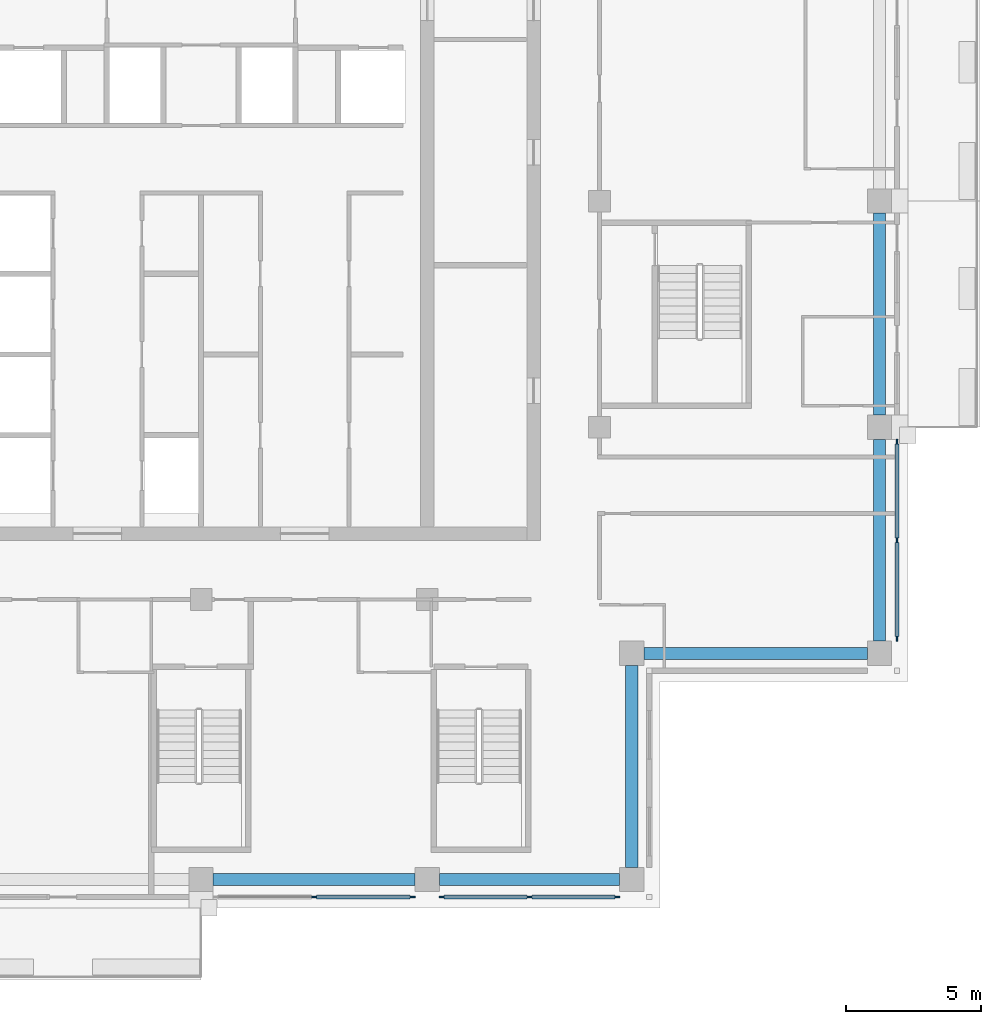
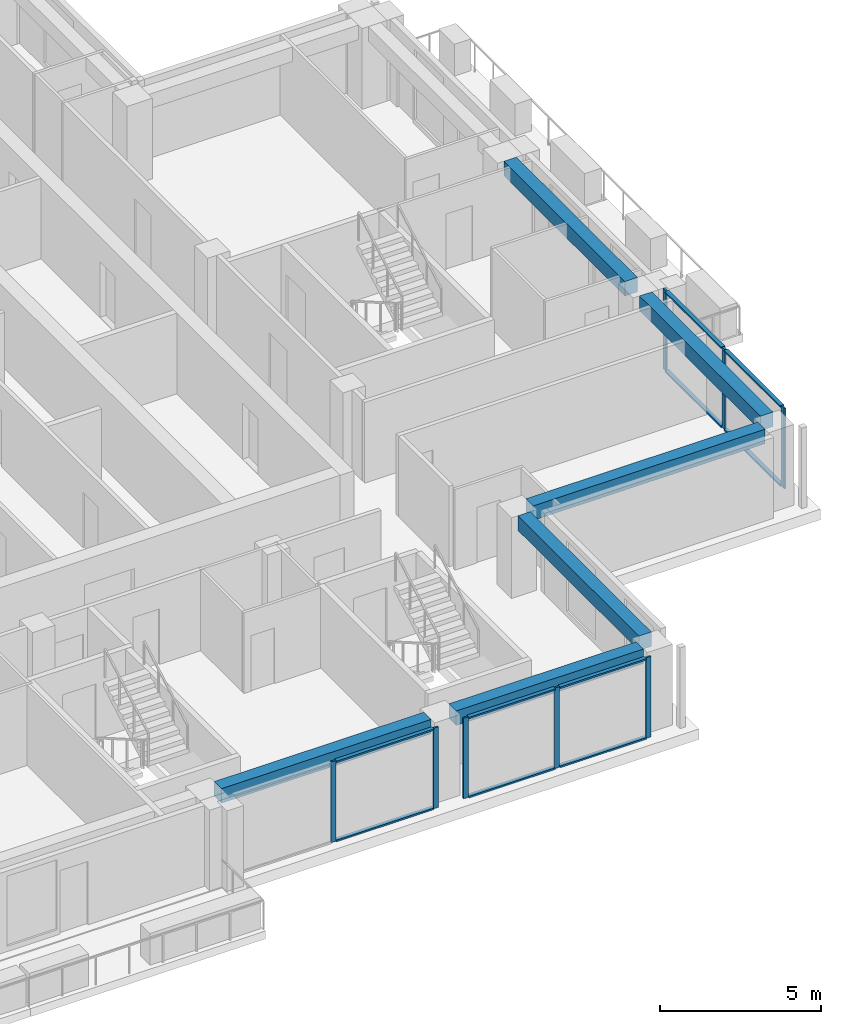
# One storey, part 4 of 16: 18 members, 6 beams, 3 elements without a shape of their own.
"""IFC4 building model written with IfcOpenShell, lengths in metres."""

import ifcopenshell
import ifcopenshell.guid

model = None  # the IFC model being written
_history = None  # IfcOwnerHistory: only IFC2X3 demands one
_inside = {}  # id of a spatial element -> (the spatial element, [elements in it])
_under = {}  # id of a project, library or spatial element -> (it, [spatial elements below it])
_declared = {}  # id of a project -> (the project, [libraries it declares])
_typed = {}  # id of a type object -> (the type object, [elements of that type])
_made_of = {}  # id of a material, layer set ... -> (it, [elements and type objects made of it])


def new_model(schema):
    """Start an empty IFC model of exactly this schema.

    Asked for "IFC4X3", IfcOpenShell would pick the latest addendum, in which some entities
    have other attributes; the version numbers below select the first issue.
    IFC2X3 requires an IfcOwnerHistory on every rooted entity: one is made here for all.
    """
    global model, _history
    if schema == "IFC4X3":
        model = ifcopenshell.file(schema_version=(4, 3, 0, 0))
    else:
        model = ifcopenshell.file(schema=schema)
    _inside.clear()
    _under.clear()
    _declared.clear()
    _typed.clear()
    _made_of.clear()
    _history = None
    if model.schema == "IFC2X3":
        org = make("IfcOrganization", Name="unknown")
        user = make(
            "IfcPersonAndOrganization",
            ThePerson=make("IfcPerson", FamilyName="unknown"),
            TheOrganization=org,
        )
        app = make(
            "IfcApplication",
            ApplicationDeveloper=org,
            Version="unknown",
            ApplicationFullName="unknown",
            ApplicationIdentifier="unknown",
        )
        _history = make(
            "IfcOwnerHistory",
            OwningUser=user,
            OwningApplication=app,
            ChangeAction="ADDED",
            CreationDate=0,
        )
    return model


def make(cls, **values):
    """One entity of the class cls with the attributes given. An attribute that is None is left unset."""
    return model.create_entity(
        cls, **{name: value for name, value in values.items() if value is not None}
    )


def rooted(cls, **values):
    """An entity with a GlobalId (a new one), such as an element, a storey or a relation."""
    return make(cls, GlobalId=ifcopenshell.guid.new(), OwnerHistory=_history, **values)


def si_unit(unit_type, name, prefix=None):
    """IfcSIUnit, for example si_unit("LENGTHUNIT", "METRE", prefix="MILLI")."""
    return make("IfcSIUnit", UnitType=unit_type, Prefix=prefix, Name=name)


def assignment(units):
    """IfcUnitAssignment: the units of a project."""
    return None if units is None else make("IfcUnitAssignment", Units=units)


def point(xyz):
    """IfcCartesianPoint."""
    return None if xyz is None else make("IfcCartesianPoint", Coordinates=xyz)


def direction(xyz):
    """IfcDirection."""
    return None if xyz is None else make("IfcDirection", DirectionRatios=xyz)


def frame(location, z_axis=None, x_axis=None):
    """IfcAxis2Placement3D, a coordinate frame: its origin and axes. An axis left out is left unset."""
    return make(
        "IfcAxis2Placement3D",
        Location=point(location),
        Axis=direction(z_axis),
        RefDirection=direction(x_axis),
    )


def frame_2d(location, x_axis=None):
    """IfcAxis2Placement2D, a coordinate frame in the plane: its origin and x axis."""
    return make(
        "IfcAxis2Placement2D", Location=point(location), RefDirection=direction(x_axis)
    )


def origin():
    """The frame at (0, 0, 0) with its axes left unset."""
    return frame((0.0, 0.0, 0.0))


def origin_2d():
    """The frame at (0, 0) in the plane with its x axis left unset."""
    return frame_2d((0.0, 0.0))


def place(relative_to, where):
    """IfcLocalPlacement: puts the frame where relative to a parent placement (None: the world)."""
    return make(
        "IfcLocalPlacement", PlacementRelTo=relative_to, RelativePlacement=where
    )


def context(
    kind, dimensions, precision=None, world=None, true_north=None, identifier=None
):
    """IfcGeometricRepresentationContext, for example the 3D "Model" context."""
    return make(
        "IfcGeometricRepresentationContext",
        ContextIdentifier=identifier,
        ContextType=kind,
        CoordinateSpaceDimension=dimensions,
        Precision=precision,
        WorldCoordinateSystem=world,
        TrueNorth=true_north,
    )


def subcontext(parent, identifier, kind, view, scale=None):
    """IfcGeometricRepresentationSubContext, for example "Body" below "Model"."""
    return make(
        "IfcGeometricRepresentationSubContext",
        ContextIdentifier=identifier,
        ContextType=kind,
        ParentContext=parent,
        TargetScale=scale,
        TargetView=view,
    )


def project(units=None, contexts=None):
    """IfcProject with its units and contexts."""
    return rooted(
        "IfcProject",
        Name="project",
        RepresentationContexts=contexts,
        UnitsInContext=assignment(units),
    )


def spatial(cls, under=None, at=None, **own):
    """A site, building, storey or space (cls), placed at a placement, below another one or the project."""
    s = rooted(cls, ObjectPlacement=at, **own)
    if under is not None:
        _under.setdefault(under.id(), (under, []))[1].append(s)
    return s


def profile(cls, at=None, kind="AREA", **sizes):
    """A parametric profile (cls). Its sizes go by their IFC names, for example OverallWidth=200.0."""
    return make(cls, ProfileType=kind, Position=at, **sizes)


def rectangle(**sizes):
    """IfcRectangleProfileDef."""
    return profile("IfcRectangleProfileDef", **sizes)


def extrude(swept, where, along, depth):
    """IfcExtrudedAreaSolid: the profile swept, set in the frame where, extruded along a direction by depth."""
    return make(
        "IfcExtrudedAreaSolid",
        SweptArea=swept,
        Position=where,
        ExtrudedDirection=direction(along),
        Depth=depth,
    )


def shape(context_of_items, identifier, shape_type, items):
    """IfcShapeRepresentation: the items that make up one representation, for example the "Body"."""
    return make(
        "IfcShapeRepresentation",
        ContextOfItems=context_of_items,
        RepresentationIdentifier=identifier,
        RepresentationType=shape_type,
        Items=items,
    )


def material(Name=None, Category=None):
    """IfcMaterial."""
    return make("IfcMaterial", Name=Name, Category=Category)


def material_profile(
    of_material, cross_section, Name=None, Category=None, Priority=None
):
    """IfcMaterialProfile: a cross section and its material."""
    return make(
        "IfcMaterialProfile",
        Name=Name,
        Material=of_material,
        Profile=cross_section,
        Priority=Priority,
        Category=Category,
    )


def profile_set(profiles, Name=None, composite=None):
    """IfcMaterialProfileSet."""
    return make(
        "IfcMaterialProfileSet",
        Name=Name,
        MaterialProfiles=profiles,
        CompositeProfile=composite,
    )


def made_of(thing, what):
    """Note that an element or type object is made of a material, layer set ...; save() writes the relation."""
    if what is not None:
        _made_of.setdefault(what.id(), (what, []))[1].append(thing)
    return thing


def type_object(cls, material=None, **own):
    """A type object (cls), such as IfcWallType, which elements share."""
    return made_of(rooted(cls, **own), material)


def element(
    cls,
    number,
    at=None,
    inside=None,
    cuts=None,
    type_object=None,
    material=None,
    context=None,
    identifier="Body",
    shape_type=None,
    held_by="IfcProductDefinitionShape",
    body=None,
    shapes=None,
    **own,
):
    """One element of the class cls, such as IfcWall. Its Tag is "e" and its number.

    at: its placement. inside: the storey or other place that contains it. cuts: it is an
    opening in that element (IfcRelVoidsElement). A single representation is given by context,
    identifier, shape_type and body (its items); several are given by shapes. held_by: the class
    of the entity that holds the representations. save() writes the other relations.
    """
    e = rooted(cls, Tag="e%d" % number, ObjectPlacement=at, **own)
    if body is not None:
        shapes = [shape(context, identifier, shape_type, body)]
    if shapes is not None:
        e.Representation = make(held_by, Representations=shapes)
    if inside is not None:
        _inside.setdefault(inside.id(), (inside, []))[1].append(e)
    if cuts is not None:
        rooted(
            "IfcRelVoidsElement", RelatingBuildingElement=cuts, RelatedOpeningElement=e
        )
    if type_object is not None:
        _typed.setdefault(type_object.id(), (type_object, []))[1].append(e)
    return made_of(e, material)


def aggregate(whole, parts):
    """IfcRelAggregates: a whole, such as a stair, and the parts it consists of."""
    return rooted("IfcRelAggregates", RelatingObject=whole, RelatedObjects=parts)


def save(model, path):
    """Write the relations noted so far, then the file.

    IfcRelAggregates (storeys below a building ...), IfcRelContainedInSpatialStructure (elements
    in a storey), IfcRelDefinesByType, IfcRelAssociatesMaterial and IfcRelDeclares: one each for
    every whole, place, type object, material and project.
    """
    for whole, parts in _under.values():
        aggregate(whole, parts)
    for where, things in _inside.values():
        rooted(
            "IfcRelContainedInSpatialStructure",
            RelatedElements=things,
            RelatingStructure=where,
        )
    for kind, things in _typed.values():
        rooted("IfcRelDefinesByType", RelatedObjects=things, RelatingType=kind)
    for what, things in _made_of.values():
        rooted("IfcRelAssociatesMaterial", RelatedObjects=things, RelatingMaterial=what)
    for by, libraries in _declared.values():
        rooted("IfcRelDeclares", RelatingContext=by, RelatedDefinitions=libraries)
    model.write(path)


model = new_model("IFC4")

# Units and contexts
model_context = context("Model", 3, precision=1e-05, world=origin(), true_north=direction((0.0, 1.0)))
body_context = subcontext(model_context, "Body", "Model", "MODEL_VIEW")
ifc_project = project(units=[si_unit("LENGTHUNIT", "METRE"), si_unit("AREAUNIT", "SQUARE_METRE"), si_unit("VOLUMEUNIT", "CUBIC_METRE"), si_unit("PLANEANGLEUNIT", "RADIAN"), si_unit("MASSUNIT", "GRAM", prefix="KILO")], contexts=[model_context])

# Site, building, storey
site_placement = place(None, origin())
site = spatial("IfcSite", under=ifc_project, at=site_placement, CompositionType="ELEMENT")
building_placement = place(site_placement, origin())
building = spatial("IfcBuilding", under=site, at=building_placement, Name="Vermilion Ogive Tower", CompositionType="ELEMENT")
storey_placement = place(building_placement, frame((0.0, 0.0, 251.050048828125)))
storey = spatial("IfcBuildingStorey", under=building, at=storey_placement, Name="L66", CompositionType="ELEMENT", Elevation=251.050048828125)

# Curtain wall, members
ifc_material_1 = material(Name="Low-iron laminated glazing in aluminium frame", Category="aluminium")
curtain_wall_type = type_object("IfcCurtainWallType", Name="Curtain wall CW7", PredefinedType="NOTDEFINED", material=ifc_material_1)
curtain_wall_1_placement = place(storey_placement, origin())
curtain_wall_1 = element("IfcCurtainWall", 1, at=curtain_wall_1_placement, inside=storey, type_object=curtain_wall_type, Name="Glazed skin S3", PredefinedType="NOTDEFINED")
ifc_material_2 = material(Name="Aluminium mullion", Category="aluminium")
ifc_material_profile_1 = material_profile(ifc_material_2, rectangle(XDim=0.06005859375, YDim=0.179931640625, at=origin_2d()), Name="AL 60x180")
ifc_profile_set_1 = profile_set([ifc_material_profile_1], Name="Aluminium mullion")
member_type_1 = type_object("IfcMemberType", Name="CW7 mullion 60x180", PredefinedType="MULLION", material=ifc_profile_set_1)
member_1_placement = place(storey_placement, frame((4.199951171875, -21.64990234375, 0.0), z_axis=(0.0, 0.0, 1.0), x_axis=(0.0, 1.0, 0.0)))
member_1 = element("IfcMember", 2, at=member_1_placement, type_object=member_type_1, Name="CW7-S3 mullion 2", PredefinedType="MULLION", context=body_context, shape_type="SweptSolid", body=[
    extrude(rectangle(XDim=0.06005859375, YDim=0.179931640625, at=origin_2d()), origin(), (0.0, 0.0, 1.0), 3.050048828125),
])
member_2_placement = place(storey_placement, frame((7.860107421875, -21.64990234375, 0.0), z_axis=(0.0, 0.0, 1.0), x_axis=(0.0, 1.0, 0.0)))
member_2 = element("IfcMember", 3, at=member_2_placement, type_object=member_type_1, Name="CW7-S3 mullion 3", PredefinedType="MULLION", context=body_context, shape_type="SweptSolid", body=[
    extrude(rectangle(XDim=0.06005859375, YDim=0.179931640625, at=origin_2d()), origin(), (0.0, 0.0, 1.0), 3.050048828125),
])

curtain_wall_2_placement = place(storey_placement, origin())
curtain_wall_2 = element("IfcCurtainWall", 4, at=curtain_wall_2_placement, inside=storey, type_object=curtain_wall_type, Name="Glazed skin S4", PredefinedType="NOTDEFINED")
member_3_placement = place(storey_placement, frame((8.93994140625, -21.64990234375, 0.0), z_axis=(0.0, 0.0, 1.0), x_axis=(0.0, 1.0, 0.0)))
member_3 = element("IfcMember", 5, at=member_3_placement, type_object=member_type_1, Name="CW7-S4 mullion 1", PredefinedType="MULLION", context=body_context, shape_type="SweptSolid", body=[
    extrude(rectangle(XDim=0.06005859375, YDim=0.179931640625, at=origin_2d()), origin(), (0.0, 0.0, 1.0), 3.050048828125),
])
member_4_placement = place(storey_placement, frame((12.199951171875, -21.64990234375, 0.0), z_axis=(0.0, 0.0, 1.0), x_axis=(0.0, 1.0, 0.0)))
member_4 = element("IfcMember", 6, at=member_4_placement, type_object=member_type_1, Name="CW7-S4 mullion 2", PredefinedType="MULLION", context=body_context, shape_type="SweptSolid", body=[
    extrude(rectangle(XDim=0.06005859375, YDim=0.179931640625, at=origin_2d()), origin(), (0.0, 0.0, 1.0), 3.050048828125),
])
member_5_placement = place(storey_placement, frame((15.4599609375, -21.64990234375, 0.0), z_axis=(0.0, 0.0, 1.0), x_axis=(0.0, 1.0, 0.0)))
member_5 = element("IfcMember", 7, at=member_5_placement, type_object=member_type_1, Name="CW7-S4 mullion 3", PredefinedType="MULLION", context=body_context, shape_type="SweptSolid", body=[
    extrude(rectangle(XDim=0.06005859375, YDim=0.179931640625, at=origin_2d()), origin(), (0.0, 0.0, 1.0), 3.050048828125),
])

curtain_wall_3_placement = place(storey_placement, origin())
curtain_wall_3 = element("IfcCurtainWall", 8, at=curtain_wall_3_placement, inside=storey, type_object=curtain_wall_type, Name="Glazed skin E1", PredefinedType="NOTDEFINED")
member_6_placement = place(storey_placement, frame((25.85009765625, -12.06005859375, 0.0), z_axis=(0.0, 0.0, 1.0), x_axis=(-1.0, 0.0, 0.0)))
member_6 = element("IfcMember", 9, at=member_6_placement, type_object=member_type_1, Name="CW7-E1 mullion 1", PredefinedType="MULLION", context=body_context, shape_type="SweptSolid", body=[
    extrude(rectangle(XDim=0.06005859375, YDim=0.179931640625, at=origin_2d()), origin(), (0.0, 0.0, 1.0), 3.050048828125),
])
member_7_placement = place(storey_placement, frame((25.85009765625, -8.39990234375, 0.0), z_axis=(0.0, 0.0, 1.0), x_axis=(-1.0, 0.0, 0.0)))
member_7 = element("IfcMember", 10, at=member_7_placement, type_object=member_type_1, Name="CW7-E1 mullion 2", PredefinedType="MULLION", context=body_context, shape_type="SweptSolid", body=[
    extrude(rectangle(XDim=0.06005859375, YDim=0.179931640625, at=origin_2d()), origin(), (0.0, 0.0, 1.0), 3.050048828125),
])
member_8_placement = place(storey_placement, frame((25.85009765625, -4.739990234375, 0.0), z_axis=(0.0, 0.0, 1.0), x_axis=(-1.0, 0.0, 0.0)))
member_8 = element("IfcMember", 11, at=member_8_placement, type_object=member_type_1, Name="CW7-E1 mullion 3", PredefinedType="MULLION", context=body_context, shape_type="SweptSolid", body=[
    extrude(rectangle(XDim=0.06005859375, YDim=0.179931640625, at=origin_2d()), origin(), (0.0, 0.0, 1.0), 3.050048828125),
])

# Member
ifc_material_3 = material(Name="Aluminium transom", Category="aluminium")
ifc_material_profile_2 = material_profile(ifc_material_3, rectangle(XDim=0.139892578125, YDim=0.06005859375, at=origin_2d()), Name="AL 60x140")
ifc_profile_set_2 = profile_set([ifc_material_profile_2], Name="Aluminium transom")
member_type_2 = type_object("IfcMemberType", Name="CW7 transom 60x140", PredefinedType="USERDEFINED", material=ifc_profile_set_2)
member_9_placement = place(storey_placement, frame((4.2900390625, -21.64990234375, 0.030029296875), z_axis=(1.0, 0.0, 0.0), x_axis=(0.0, 1.0, 0.0)))
member_9 = element("IfcMember", 12, at=member_9_placement, type_object=member_type_2, Name="CW7-S3 transom 2.1", ObjectType="TRANSOM", PredefinedType="USERDEFINED", context=body_context, shape_type="SweptSolid", body=[
    extrude(rectangle(XDim=0.139892578125, YDim=0.06005859375, at=origin_2d()), origin(), (0.0, 0.0, 1.0), 3.47998046875),
])

member_10_placement = place(storey_placement, frame((4.2900390625, -21.64990234375, 3.02001953125), z_axis=(1.0, 0.0, 0.0), x_axis=(0.0, 1.0, 0.0)))
member_10 = element("IfcMember", 13, at=member_10_placement, type_object=member_type_2, Name="CW7-S3 transom 2.2", ObjectType="TRANSOM", PredefinedType="USERDEFINED", context=body_context, shape_type="SweptSolid", body=[
    extrude(rectangle(XDim=0.139892578125, YDim=0.06005859375, at=origin_2d()), origin(), (0.0, 0.0, 1.0), 3.47998046875),
])

aggregate(curtain_wall_1, [member_1, member_2, member_9, member_10])

member_11_placement = place(storey_placement, frame((9.030029296875, -21.64990234375, 0.030029296875), z_axis=(1.0, 0.0, 0.0), x_axis=(0.0, 1.0, 0.0)))
member_11 = element("IfcMember", 14, at=member_11_placement, type_object=member_type_2, Name="CW7-S4 transom 1.1", ObjectType="TRANSOM", PredefinedType="USERDEFINED", context=body_context, shape_type="SweptSolid", body=[
    extrude(rectangle(XDim=0.139892578125, YDim=0.06005859375, at=origin_2d()), origin(), (0.0, 0.0, 1.0), 3.080078125),
])

member_12_placement = place(storey_placement, frame((9.030029296875, -21.64990234375, 3.02001953125), z_axis=(1.0, 0.0, 0.0), x_axis=(0.0, 1.0, 0.0)))
member_12 = element("IfcMember", 15, at=member_12_placement, type_object=member_type_2, Name="CW7-S4 transom 1.2", ObjectType="TRANSOM", PredefinedType="USERDEFINED", context=body_context, shape_type="SweptSolid", body=[
    extrude(rectangle(XDim=0.139892578125, YDim=0.06005859375, at=origin_2d()), origin(), (0.0, 0.0, 1.0), 3.080078125),
])

member_13_placement = place(storey_placement, frame((12.2900390625, -21.64990234375, 0.030029296875), z_axis=(1.0, 0.0, 0.0), x_axis=(0.0, 1.0, 0.0)))
member_13 = element("IfcMember", 16, at=member_13_placement, type_object=member_type_2, Name="CW7-S4 transom 2.1", ObjectType="TRANSOM", PredefinedType="USERDEFINED", context=body_context, shape_type="SweptSolid", body=[
    extrude(rectangle(XDim=0.139892578125, YDim=0.06005859375, at=origin_2d()), origin(), (0.0, 0.0, 1.0), 3.080078125),
])

member_14_placement = place(storey_placement, frame((12.2900390625, -21.64990234375, 3.02001953125), z_axis=(1.0, 0.0, 0.0), x_axis=(0.0, 1.0, 0.0)))
member_14 = element("IfcMember", 17, at=member_14_placement, type_object=member_type_2, Name="CW7-S4 transom 2.2", ObjectType="TRANSOM", PredefinedType="USERDEFINED", context=body_context, shape_type="SweptSolid", body=[
    extrude(rectangle(XDim=0.139892578125, YDim=0.06005859375, at=origin_2d()), origin(), (0.0, 0.0, 1.0), 3.080078125),
])

aggregate(curtain_wall_2, [member_3, member_4, member_5, member_11, member_12, member_13, member_14])

member_15_placement = place(storey_placement, frame((25.85009765625, -11.969970703125, 0.030029296875), z_axis=(0.0, 1.0, 0.0), x_axis=(-1.0, 0.0, 0.0)))
member_15 = element("IfcMember", 18, at=member_15_placement, type_object=member_type_2, Name="CW7-E1 transom 1.1", ObjectType="TRANSOM", PredefinedType="USERDEFINED", context=body_context, shape_type="SweptSolid", body=[
    extrude(rectangle(XDim=0.139892578125, YDim=0.06005859375, at=origin_2d()), origin(), (0.0, 0.0, 1.0), 3.47998046875),
])

member_16_placement = place(storey_placement, frame((25.85009765625, -11.969970703125, 3.02001953125), z_axis=(0.0, 1.0, 0.0), x_axis=(-1.0, 0.0, 0.0)))
member_16 = element("IfcMember", 19, at=member_16_placement, type_object=member_type_2, Name="CW7-E1 transom 1.2", ObjectType="TRANSOM", PredefinedType="USERDEFINED", context=body_context, shape_type="SweptSolid", body=[
    extrude(rectangle(XDim=0.139892578125, YDim=0.06005859375, at=origin_2d()), origin(), (0.0, 0.0, 1.0), 3.47998046875),
])

member_17_placement = place(storey_placement, frame((25.85009765625, -8.31005859375, 0.030029296875), z_axis=(0.0, 1.0, 0.0), x_axis=(-1.0, 0.0, 0.0)))
member_17 = element("IfcMember", 20, at=member_17_placement, type_object=member_type_2, Name="CW7-E1 transom 2.1", ObjectType="TRANSOM", PredefinedType="USERDEFINED", context=body_context, shape_type="SweptSolid", body=[
    extrude(rectangle(XDim=0.139892578125, YDim=0.06005859375, at=origin_2d()), origin(), (0.0, 0.0, 1.0), 3.47998046875),
])

member_18_placement = place(storey_placement, frame((25.85009765625, -8.31005859375, 3.02001953125), z_axis=(0.0, 1.0, 0.0), x_axis=(-1.0, 0.0, 0.0)))
member_18 = element("IfcMember", 21, at=member_18_placement, type_object=member_type_2, Name="CW7-E1 transom 2.2", ObjectType="TRANSOM", PredefinedType="USERDEFINED", context=body_context, shape_type="SweptSolid", body=[
    extrude(rectangle(XDim=0.139892578125, YDim=0.06005859375, at=origin_2d()), origin(), (0.0, 0.0, 1.0), 3.47998046875),
])

aggregate(curtain_wall_3, [member_6, member_7, member_8, member_15, member_16, member_17, member_18])

# Beams
ifc_material_4 = material(Name="Concrete B45", Category="concrete")
ifc_material_profile_3 = material_profile(ifc_material_4, rectangle(XDim=0.449951171875, YDim=0.550048828125, at=origin_2d()), Name="450 x 550")
ifc_profile_set_3 = profile_set([ifc_material_profile_3], Name="Concrete B45")
beam_type = type_object("IfcBeamType", Name="Edge beam 450 x 550 B45", PredefinedType="BEAM", material=ifc_profile_set_3)
beam_1_placement = place(storey_placement, frame((0.449951171875, -21.0, 2.77490234375), z_axis=(1.0, 0.0, 0.0), x_axis=(0.0, 1.0, 0.0)))
element("IfcBeam", 22, at=beam_1_placement, inside=storey, type_object=beam_type, Name="L66-EB-3", PredefinedType="BEAM", context=body_context, shape_type="SweptSolid", body=[
    extrude(rectangle(XDim=0.449951171875, YDim=0.550048828125, at=origin_2d()), origin(), (0.0, 0.0, 1.0), 7.5),
])
beam_2_placement = place(storey_placement, frame((8.85009765625, -21.0, 2.77490234375), z_axis=(1.0, 0.0, 0.0), x_axis=(0.0, 1.0, 0.0)))
element("IfcBeam", 23, at=beam_2_placement, inside=storey, type_object=beam_type, Name="L66-EB-4", PredefinedType="BEAM", context=body_context, shape_type="SweptSolid", body=[
    extrude(rectangle(XDim=0.449951171875, YDim=0.550048828125, at=origin_2d()), origin(), (0.0, 0.0, 1.0), 6.699951171875),
])
beam_3_placement = place(storey_placement, frame((16.0, -20.550048828125, 2.77490234375), z_axis=(0.0, 1.0, 0.0), x_axis=(-1.0, 0.0, 0.0)))
element("IfcBeam", 24, at=beam_3_placement, inside=storey, type_object=beam_type, Name="L66-EB-5", PredefinedType="BEAM", context=body_context, shape_type="SweptSolid", body=[
    extrude(rectangle(XDim=0.449951171875, YDim=0.550048828125, at=origin_2d()), origin(), (0.0, 0.0, 1.0), 7.5),
])
beam_4_placement = place(storey_placement, frame((16.449951171875, -12.60009765625, 2.77490234375), z_axis=(1.0, 0.0, 0.0), x_axis=(0.0, 1.0, 0.0)))
element("IfcBeam", 25, at=beam_4_placement, inside=storey, type_object=beam_type, Name="L66-EB-6", PredefinedType="BEAM", context=body_context, shape_type="SweptSolid", body=[
    extrude(rectangle(XDim=0.449951171875, YDim=0.550048828125, at=origin_2d()), origin(), (0.0, 0.0, 1.0), 8.300048828125),
])
for number, where, z_axis, x_axis, name in (
    (26, (25.199951171875, -12.14990234375, 2.77490234375), (0.0, 1.0, 0.0), (-1.0, 0.0, 0.0), "L66-EB-7"),
    (27, (25.199951171875, -3.75, 2.77490234375), (0.0, 1.0, 0.0), (-1.0, 0.0, 0.0), "L66-EB-8"),
):
    element("IfcBeam", number, at=place(storey_placement, frame(where, z_axis=z_axis, x_axis=x_axis)), inside=storey, type_object=beam_type, Name=name, PredefinedType="BEAM", context=body_context, shape_type="SweptSolid", body=[
        extrude(rectangle(XDim=0.449951171875, YDim=0.550048828125, at=origin_2d()), origin(), (0.0, 0.0, 1.0), 7.5),
    ])

save(model, "model.ifc")
